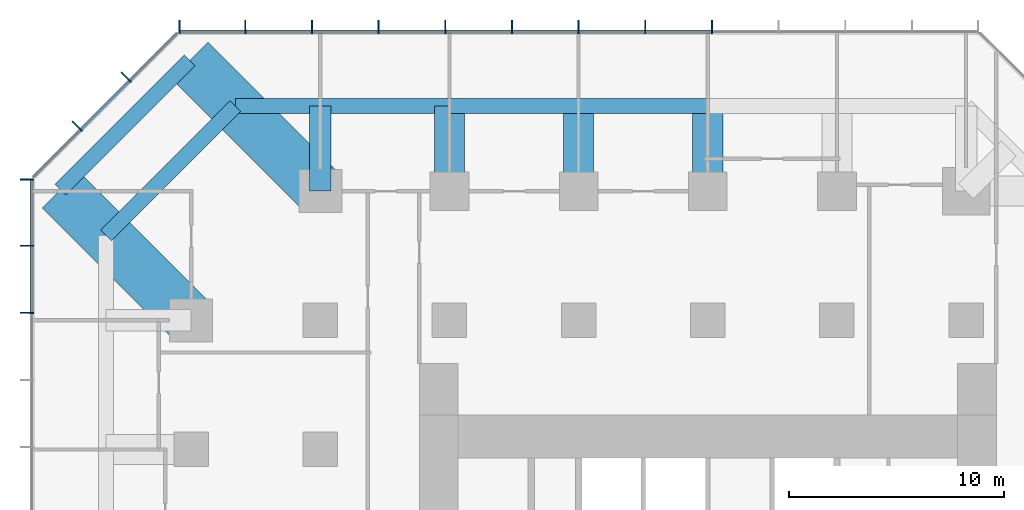
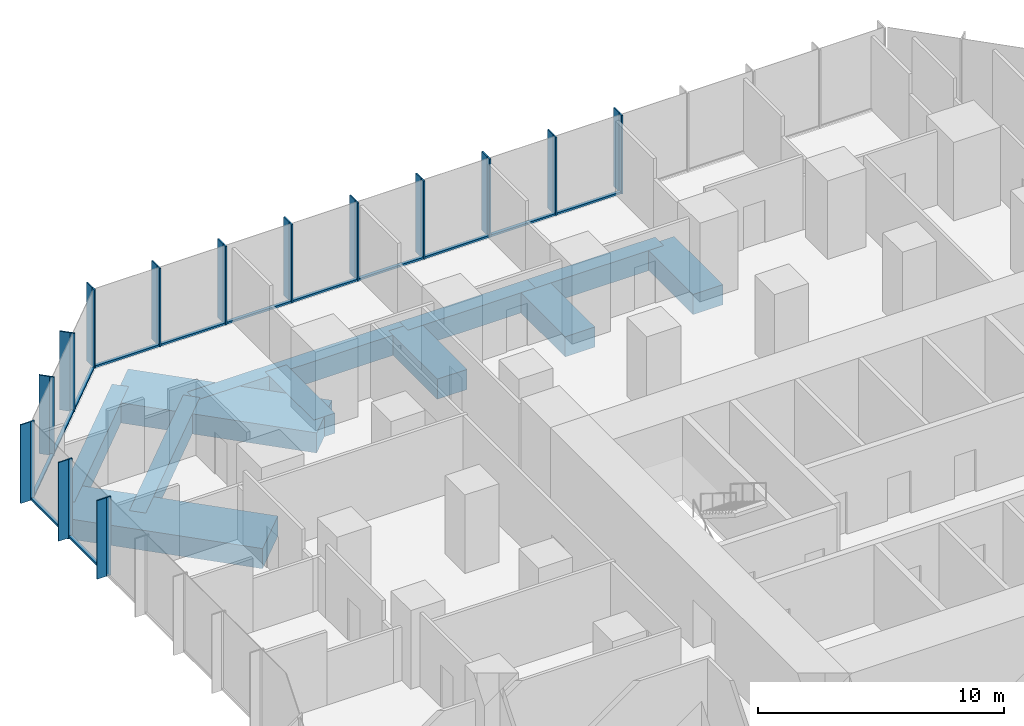
# One storey, part 5 of 11: 41 members, 11 beams, 3 elements without a shape of their own.
"""IFC4 building model written with IfcOpenShell, lengths in metres."""

from ifc_helpers import new_model, si_unit, direction, frame, origin, origin_2d, place, context, subcontext, project, spatial, rectangle, extrude, material, layer, layer_set, material_profile, profile_set, type_object, element, aggregate, save


model = new_model("IFC4")

# Units and contexts
model_context = context("Model", 3, precision=1e-05, world=origin(), true_north=direction((0.0, 1.0)))
body_context = subcontext(model_context, "Body", "Model", "MODEL_VIEW")
ifc_project = project(units=[si_unit("LENGTHUNIT", "METRE"), si_unit("AREAUNIT", "SQUARE_METRE"), si_unit("VOLUMEUNIT", "CUBIC_METRE"), si_unit("PLANEANGLEUNIT", "RADIAN"), si_unit("MASSUNIT", "GRAM", prefix="KILO")], contexts=[model_context])

# Site, building, storey
site_placement = place(None, origin())
site = spatial("IfcSite", under=ifc_project, at=site_placement, CompositionType="ELEMENT")
building_placement = place(site_placement, origin())
building = spatial("IfcBuilding", under=site, at=building_placement, Name="Highveld Stack Headquarters", CompositionType="ELEMENT")
storey_placement = place(building_placement, frame((0.0, 0.0, 97.699951171875)))
storey = spatial("IfcBuildingStorey", under=building, at=storey_placement, Name="L23", CompositionType="ELEMENT", Elevation=97.699951171875)

# Beams
ifc_material_1 = material(Name="Concrete C60/75", Category="concrete")
ifc_material_profile_1 = material_profile(ifc_material_1, rectangle(XDim=1.0, YDim=1.0, at=origin_2d()), Name="RC 1000x1000")
ifc_profile_set_1 = profile_set([ifc_material_profile_1], Name="Concrete C60/75")
beam_type_1 = type_object("IfcBeamType", Name="CANTILEVER RIB RC 1000x1000", PredefinedType="USERDEFINED", material=ifc_profile_set_1)
beam_1_placement = place(storey_placement, frame((-12.0, 24.0, -0.75), z_axis=(0.0, 1.0, 0.0), x_axis=(-1.0, 0.0, 0.0)))
element("IfcBeam", 1, at=beam_1_placement, inside=storey, type_object=beam_type_1, Name="Cantilever rib 4/J L23", ObjectType="CANTILEVER RIB", PredefinedType="USERDEFINED", context=body_context, shape_type="SweptSolid", body=[
    extrude(rectangle(XDim=1.0, YDim=1.0, at=origin_2d()), origin(), (0.0, 0.0, 1.0), 3.949951171875),
])
ifc_material_2 = material(Name="Concrete C60/75", Category="concrete")
ifc_material_profile_2 = material_profile(ifc_material_2, rectangle(XDim=1.39990234375, YDim=1.0, at=origin_2d()), Name="RC 1400x1000")
ifc_profile_set_2 = profile_set([ifc_material_profile_2], Name="Concrete C60/75")
beam_type_2 = type_object("IfcBeamType", Name="CANTILEVER RIB RC 1400x1000", PredefinedType="USERDEFINED", material=ifc_profile_set_2)
for number, where, z_axis, x_axis, name in (
    (2, (-6.0, 24.0, -0.75), (0.0, 1.0, 0.0), (-1.0, 0.0, 0.0), "Cantilever rib 5/J L23"),
    (3, (0.0, 24.0, -0.75), (0.0, 1.0, 0.0), (-1.0, 0.0, 0.0), "Cantilever rib 6/J L23"),
    (4, (6.0, 24.0, -0.75), (0.0, 1.0, 0.0), (-1.0, 0.0, 0.0), "Cantilever rib 7/J L23"),
):
    element("IfcBeam", number, at=place(storey_placement, frame(where, z_axis=z_axis, x_axis=x_axis)), inside=storey, type_object=beam_type_2, Name=name, ObjectType="CANTILEVER RIB", PredefinedType="USERDEFINED", context=body_context, shape_type="SweptSolid", body=[
        extrude(rectangle(XDim=1.39990234375, YDim=1.0, at=origin_2d()), origin(), (0.0, 0.0, 1.0), 3.949951171875),
    ])
ifc_material_3 = material(Name="Concrete C60/75", Category="concrete")
ifc_material_profile_3 = material_profile(ifc_material_3, rectangle(XDim=2.39990234375, YDim=1.0, at=origin_2d()), Name="RC 2400x1000")
ifc_profile_set_3 = profile_set([ifc_material_profile_3], Name="Concrete C60/75")
beam_type_3 = type_object("IfcBeamType", Name="CANTILEVER RIB RC 2400x1000", PredefinedType="USERDEFINED", material=ifc_profile_set_3)
for number, where, z_axis, x_axis, name in (
    (5, (-18.0, 18.0, -0.75), (-0.707106781187, 0.707106781187, 0.0), (-0.707106781187, -0.707106781187, 0.0), "Cantilever rib 3/H L23"),
    (6, (-12.0, 24.0, -0.75), (-0.707106781187, 0.707106781187, 0.0), (-0.707106781187, -0.707106781187, 0.0), "Cantilever rib 4/J L23"),
):
    element("IfcBeam", number, at=place(storey_placement, frame(where, z_axis=z_axis, x_axis=x_axis)), inside=storey, type_object=beam_type_3, Name=name, ObjectType="CANTILEVER RIB", PredefinedType="USERDEFINED", context=body_context, shape_type="SweptSolid", body=[
        extrude(rectangle(XDim=2.39990234375, YDim=1.0, at=origin_2d()), origin(), (0.0, 0.0, 1.0), 8.585693359375),
    ])

# Curtain wall, members
ifc_material_4 = material(Name="Aluminium bronze anodised", Category="aluminium")
ifc_layer_1 = layer(ifc_material_4, 0.199951171875)
ifc_layer_set_1 = layer_set([ifc_layer_1], Name="Aluminium bronze anodised")
curtain_wall_type_1 = type_object("IfcCurtainWallType", Name="CW1 TOWER UNITISED CURTAIN WALL", PredefinedType="NOTDEFINED", material=ifc_layer_set_1)
curtain_wall_1_placement = place(storey_placement, origin())
curtain_wall_1 = element("IfcCurtainWall", 7, at=curtain_wall_1_placement, inside=storey, type_object=curtain_wall_type_1, Name="Curtain wall CW1 L23 N", PredefinedType="NOTDEFINED")
ifc_material_5 = material(Name="Aluminium bronze anodised", Category="aluminium")
ifc_material_profile_4 = material_profile(ifc_material_5, rectangle(XDim=0.449951171875, YDim=0.06005859375, at=origin_2d()), Name="FIN 450x60")
ifc_profile_set_4 = profile_set([ifc_material_profile_4], Name="Aluminium bronze anodised")
member_type_1 = type_object("IfcMemberType", Name="CW1 BRONZE FIN 450x60", PredefinedType="USERDEFINED", material=ifc_profile_set_4)
member_1_placement = place(storey_placement, frame((6.193359375, 31.72509765625, 0.0), z_axis=(0.0, 0.0, 1.0), x_axis=(0.0, -1.0, 0.0)))
member_1 = element("IfcMember", 8, at=member_1_placement, type_object=member_type_1, Name="CW1 fin L23 5", ObjectType="FIN", PredefinedType="USERDEFINED", context=body_context, shape_type="SweptSolid", body=[
    extrude(rectangle(XDim=0.449951171875, YDim=0.06005859375, at=origin_2d()), origin(), (0.0, 0.0, 1.0), 3.900146484375),
])
member_2_placement = place(storey_placement, frame((3.0966796875, 31.72509765625, 0.0), z_axis=(0.0, 0.0, 1.0), x_axis=(0.0, -1.0, 0.0)))
member_2 = element("IfcMember", 9, at=member_2_placement, type_object=member_type_1, Name="CW1 fin L23 6", ObjectType="FIN", PredefinedType="USERDEFINED", context=body_context, shape_type="SweptSolid", body=[
    extrude(rectangle(XDim=0.449951171875, YDim=0.06005859375, at=origin_2d()), origin(), (0.0, 0.0, 1.0), 3.900146484375),
])
member_3_placement = place(storey_placement, frame((0.0, 31.72509765625, 0.0), z_axis=(0.0, 0.0, 1.0), x_axis=(0.0, -1.0, 0.0)))
member_3 = element("IfcMember", 10, at=member_3_placement, type_object=member_type_1, Name="CW1 fin L23 7", ObjectType="FIN", PredefinedType="USERDEFINED", context=body_context, shape_type="SweptSolid", body=[
    extrude(rectangle(XDim=0.449951171875, YDim=0.06005859375, at=origin_2d()), origin(), (0.0, 0.0, 1.0), 3.900146484375),
])
member_4_placement = place(storey_placement, frame((-3.0966796875, 31.72509765625, 0.0), z_axis=(0.0, 0.0, 1.0), x_axis=(0.0, -1.0, 0.0)))
member_4 = element("IfcMember", 11, at=member_4_placement, type_object=member_type_1, Name="CW1 fin L23 8", ObjectType="FIN", PredefinedType="USERDEFINED", context=body_context, shape_type="SweptSolid", body=[
    extrude(rectangle(XDim=0.449951171875, YDim=0.06005859375, at=origin_2d()), origin(), (0.0, 0.0, 1.0), 3.900146484375),
])
member_5_placement = place(storey_placement, frame((-6.193359375, 31.72509765625, 0.0), z_axis=(0.0, 0.0, 1.0), x_axis=(0.0, -1.0, 0.0)))
member_5 = element("IfcMember", 12, at=member_5_placement, type_object=member_type_1, Name="CW1 fin L23 9", ObjectType="FIN", PredefinedType="USERDEFINED", context=body_context, shape_type="SweptSolid", body=[
    extrude(rectangle(XDim=0.449951171875, YDim=0.06005859375, at=origin_2d()), origin(), (0.0, 0.0, 1.0), 3.900146484375),
])
member_6_placement = place(storey_placement, frame((-9.2900390625, 31.72509765625, 0.0), z_axis=(0.0, 0.0, 1.0), x_axis=(0.0, -1.0, 0.0)))
member_6 = element("IfcMember", 13, at=member_6_placement, type_object=member_type_1, Name="CW1 fin L23 10", ObjectType="FIN", PredefinedType="USERDEFINED", context=body_context, shape_type="SweptSolid", body=[
    extrude(rectangle(XDim=0.449951171875, YDim=0.06005859375, at=origin_2d()), origin(), (0.0, 0.0, 1.0), 3.900146484375),
])
member_7_placement = place(storey_placement, frame((-12.38671875, 31.72509765625, 0.0), z_axis=(0.0, 0.0, 1.0), x_axis=(0.0, -1.0, 0.0)))
member_7 = element("IfcMember", 14, at=member_7_placement, type_object=member_type_1, Name="CW1 fin L23 11", ObjectType="FIN", PredefinedType="USERDEFINED", context=body_context, shape_type="SweptSolid", body=[
    extrude(rectangle(XDim=0.449951171875, YDim=0.06005859375, at=origin_2d()), origin(), (0.0, 0.0, 1.0), 3.900146484375),
])
member_8_placement = place(storey_placement, frame((-15.4833984375, 31.72509765625, 0.0), z_axis=(0.0, 0.0, 1.0), x_axis=(0.0, -1.0, 0.0)))
member_8 = element("IfcMember", 15, at=member_8_placement, type_object=member_type_1, Name="CW1 fin L23 12", ObjectType="FIN", PredefinedType="USERDEFINED", context=body_context, shape_type="SweptSolid", body=[
    extrude(rectangle(XDim=0.449951171875, YDim=0.06005859375, at=origin_2d()), origin(), (0.0, 0.0, 1.0), 3.900146484375),
])
member_9_placement = place(storey_placement, frame((-18.54736328125, 31.72509765625, 0.0), z_axis=(0.0, 0.0, 1.0), x_axis=(0.0, -1.0, 0.0)))
member_9 = element("IfcMember", 16, at=member_9_placement, type_object=member_type_1, Name="CW1 fin L23 13", ObjectType="FIN", PredefinedType="USERDEFINED", context=body_context, shape_type="SweptSolid", body=[
    extrude(rectangle(XDim=0.449951171875, YDim=0.06005859375, at=origin_2d()), origin(), (0.0, 0.0, 1.0), 3.900146484375),
])

curtain_wall_2_placement = place(storey_placement, origin())
curtain_wall_2 = element("IfcCurtainWall", 17, at=curtain_wall_2_placement, inside=storey, type_object=curtain_wall_type_1, Name="Curtain wall CW1 L23 W", PredefinedType="NOTDEFINED")
member_10_placement = place(storey_placement, frame((-25.72509765625, 24.54736328125, 0.0), z_axis=(0.0, 0.0, 1.0), x_axis=(1.0, 0.0, 0.0)))
member_10 = element("IfcMember", 18, at=member_10_placement, type_object=member_type_1, Name="CW1 fin L23 1", ObjectType="FIN", PredefinedType="USERDEFINED", context=body_context, shape_type="SweptSolid", body=[
    extrude(rectangle(XDim=0.449951171875, YDim=0.06005859375, at=origin_2d()), origin(), (0.0, 0.0, 1.0), 3.900146484375),
])
member_11_placement = place(storey_placement, frame((-25.72509765625, 21.4638671875, 0.0), z_axis=(0.0, 0.0, 1.0), x_axis=(1.0, 0.0, 0.0)))
member_11 = element("IfcMember", 19, at=member_11_placement, type_object=member_type_1, Name="CW1 fin L23 2", ObjectType="FIN", PredefinedType="USERDEFINED", context=body_context, shape_type="SweptSolid", body=[
    extrude(rectangle(XDim=0.449951171875, YDim=0.06005859375, at=origin_2d()), origin(), (0.0, 0.0, 1.0), 3.900146484375),
])
member_12_placement = place(storey_placement, frame((-25.72509765625, 18.347900390625, 0.0), z_axis=(0.0, 0.0, 1.0), x_axis=(1.0, 0.0, 0.0)))
member_12 = element("IfcMember", 20, at=member_12_placement, type_object=member_type_1, Name="CW1 fin L23 3", ObjectType="FIN", PredefinedType="USERDEFINED", context=body_context, shape_type="SweptSolid", body=[
    extrude(rectangle(XDim=0.449951171875, YDim=0.06005859375, at=origin_2d()), origin(), (0.0, 0.0, 1.0), 3.900146484375),
])

# Member
ifc_material_6 = material(Name="Aluminium bronze anodised", Category="aluminium")
ifc_material_profile_5 = material_profile(ifc_material_6, rectangle(XDim=0.199951171875, YDim=0.06494140625, at=origin_2d()), Name="CW1 MULLION 65x200")
ifc_profile_set_5 = profile_set([ifc_material_profile_5], Name="Aluminium bronze anodised")
member_type_2 = type_object("IfcMemberType", Name="CW1 MULLION 65x200", PredefinedType="MULLION", material=ifc_profile_set_5)
member_13_placement = place(storey_placement, frame((6.193359375, 31.39990234375, 0.0), z_axis=(0.0, 0.0, 1.0), x_axis=(0.0, -1.0, 0.0)))
member_13 = element("IfcMember", 21, at=member_13_placement, type_object=member_type_2, Name="CW1 mullion L23 5", PredefinedType="MULLION", context=body_context, shape_type="SweptSolid", body=[
    extrude(rectangle(XDim=0.199951171875, YDim=0.06494140625, at=origin_2d()), origin(), (0.0, 0.0, 1.0), 3.900146484375),
])

member_14_placement = place(storey_placement, frame((3.0966796875, 31.39990234375, 0.0), z_axis=(0.0, 0.0, 1.0), x_axis=(0.0, -1.0, 0.0)))
member_14 = element("IfcMember", 22, at=member_14_placement, type_object=member_type_2, Name="CW1 mullion L23 6", PredefinedType="MULLION", context=body_context, shape_type="SweptSolid", body=[
    extrude(rectangle(XDim=0.199951171875, YDim=0.06494140625, at=origin_2d()), origin(), (0.0, 0.0, 1.0), 3.900146484375),
])

member_15_placement = place(storey_placement, frame((0.0, 31.39990234375, 0.0), z_axis=(0.0, 0.0, 1.0), x_axis=(0.0, -1.0, 0.0)))
member_15 = element("IfcMember", 23, at=member_15_placement, type_object=member_type_2, Name="CW1 mullion L23 7", PredefinedType="MULLION", context=body_context, shape_type="SweptSolid", body=[
    extrude(rectangle(XDim=0.199951171875, YDim=0.06494140625, at=origin_2d()), origin(), (0.0, 0.0, 1.0), 3.900146484375),
])

member_16_placement = place(storey_placement, frame((-3.0966796875, 31.39990234375, 0.0), z_axis=(0.0, 0.0, 1.0), x_axis=(0.0, -1.0, 0.0)))
member_16 = element("IfcMember", 24, at=member_16_placement, type_object=member_type_2, Name="CW1 mullion L23 8", PredefinedType="MULLION", context=body_context, shape_type="SweptSolid", body=[
    extrude(rectangle(XDim=0.199951171875, YDim=0.06494140625, at=origin_2d()), origin(), (0.0, 0.0, 1.0), 3.900146484375),
])

member_17_placement = place(storey_placement, frame((-6.193359375, 31.39990234375, 0.0), z_axis=(0.0, 0.0, 1.0), x_axis=(0.0, -1.0, 0.0)))
member_17 = element("IfcMember", 25, at=member_17_placement, type_object=member_type_2, Name="CW1 mullion L23 9", PredefinedType="MULLION", context=body_context, shape_type="SweptSolid", body=[
    extrude(rectangle(XDim=0.199951171875, YDim=0.06494140625, at=origin_2d()), origin(), (0.0, 0.0, 1.0), 3.900146484375),
])

member_18_placement = place(storey_placement, frame((-9.2900390625, 31.39990234375, 0.0), z_axis=(0.0, 0.0, 1.0), x_axis=(0.0, -1.0, 0.0)))
member_18 = element("IfcMember", 26, at=member_18_placement, type_object=member_type_2, Name="CW1 mullion L23 10", PredefinedType="MULLION", context=body_context, shape_type="SweptSolid", body=[
    extrude(rectangle(XDim=0.199951171875, YDim=0.06494140625, at=origin_2d()), origin(), (0.0, 0.0, 1.0), 3.900146484375),
])

member_19_placement = place(storey_placement, frame((-12.38671875, 31.39990234375, 0.0), z_axis=(0.0, 0.0, 1.0), x_axis=(0.0, -1.0, 0.0)))
member_19 = element("IfcMember", 27, at=member_19_placement, type_object=member_type_2, Name="CW1 mullion L23 11", PredefinedType="MULLION", context=body_context, shape_type="SweptSolid", body=[
    extrude(rectangle(XDim=0.199951171875, YDim=0.06494140625, at=origin_2d()), origin(), (0.0, 0.0, 1.0), 3.900146484375),
])

member_20_placement = place(storey_placement, frame((-15.4833984375, 31.39990234375, 0.0), z_axis=(0.0, 0.0, 1.0), x_axis=(0.0, -1.0, 0.0)))
member_20 = element("IfcMember", 28, at=member_20_placement, type_object=member_type_2, Name="CW1 mullion L23 12", PredefinedType="MULLION", context=body_context, shape_type="SweptSolid", body=[
    extrude(rectangle(XDim=0.199951171875, YDim=0.06494140625, at=origin_2d()), origin(), (0.0, 0.0, 1.0), 3.900146484375),
])

member_21_placement = place(storey_placement, frame((-18.54736328125, 31.39990234375, 0.0), z_axis=(0.0, 0.0, 1.0), x_axis=(0.0, -1.0, 0.0)))
member_21 = element("IfcMember", 29, at=member_21_placement, type_object=member_type_2, Name="CW1 mullion L23 13", PredefinedType="MULLION", context=body_context, shape_type="SweptSolid", body=[
    extrude(rectangle(XDim=0.199951171875, YDim=0.06494140625, at=origin_2d()), origin(), (0.0, 0.0, 1.0), 3.900146484375),
])

member_22_placement = place(storey_placement, frame((-25.39990234375, 24.54736328125, 0.0), z_axis=(0.0, 0.0, 1.0), x_axis=(1.0, 0.0, 0.0)))
member_22 = element("IfcMember", 30, at=member_22_placement, type_object=member_type_2, Name="CW1 mullion L23 1", PredefinedType="MULLION", context=body_context, shape_type="SweptSolid", body=[
    extrude(rectangle(XDim=0.199951171875, YDim=0.06494140625, at=origin_2d()), origin(), (0.0, 0.0, 1.0), 3.900146484375),
])

member_23_placement = place(storey_placement, frame((-25.39990234375, 21.4638671875, 0.0), z_axis=(0.0, 0.0, 1.0), x_axis=(1.0, 0.0, 0.0)))
member_23 = element("IfcMember", 31, at=member_23_placement, type_object=member_type_2, Name="CW1 mullion L23 2", PredefinedType="MULLION", context=body_context, shape_type="SweptSolid", body=[
    extrude(rectangle(XDim=0.199951171875, YDim=0.06494140625, at=origin_2d()), origin(), (0.0, 0.0, 1.0), 3.900146484375),
])

member_24_placement = place(storey_placement, frame((-25.39990234375, 18.347900390625, 0.0), z_axis=(0.0, 0.0, 1.0), x_axis=(1.0, 0.0, 0.0)))
member_24 = element("IfcMember", 32, at=member_24_placement, type_object=member_type_2, Name="CW1 mullion L23 3", PredefinedType="MULLION", context=body_context, shape_type="SweptSolid", body=[
    extrude(rectangle(XDim=0.199951171875, YDim=0.06494140625, at=origin_2d()), origin(), (0.0, 0.0, 1.0), 3.900146484375),
])

ifc_material_7 = material(Name="Aluminium bronze anodised", Category="aluminium")
ifc_material_profile_6 = material_profile(ifc_material_7, rectangle(XDim=0.14990234375, YDim=0.10009765625, at=origin_2d()), Name="CW1 TRANSOM 150x100")
ifc_profile_set_6 = profile_set([ifc_material_profile_6], Name="Aluminium bronze anodised")
member_type_3 = type_object("IfcMemberType", Name="CW1 STACK TRANSOM 150x100", PredefinedType="USERDEFINED", material=ifc_profile_set_6)
member_25_placement = place(storey_placement, frame((6.160888671875, 31.39990234375, 0.050048828125), z_axis=(-1.0, 0.0, 0.0), x_axis=(0.0, -1.0, 0.0)))
member_25 = element("IfcMember", 33, at=member_25_placement, type_object=member_type_3, Name="CW1 transom L23 5.1", ObjectType="TRANSOM", PredefinedType="USERDEFINED", context=body_context, shape_type="SweptSolid", body=[
    extrude(rectangle(XDim=0.14990234375, YDim=0.10009765625, at=origin_2d()), origin(), (0.0, 0.0, 1.0), 3.03173828125),
])

member_26_placement = place(storey_placement, frame((3.064208984375, 31.39990234375, 0.050048828125), z_axis=(-1.0, 0.0, 0.0), x_axis=(0.0, -1.0, 0.0)))
member_26 = element("IfcMember", 34, at=member_26_placement, type_object=member_type_3, Name="CW1 transom L23 6.1", ObjectType="TRANSOM", PredefinedType="USERDEFINED", context=body_context, shape_type="SweptSolid", body=[
    extrude(rectangle(XDim=0.14990234375, YDim=0.10009765625, at=origin_2d()), origin(), (0.0, 0.0, 1.0), 3.03173828125),
])

member_27_placement = place(storey_placement, frame((-0.032470703125, 31.39990234375, 0.050048828125), z_axis=(-1.0, 0.0, 0.0), x_axis=(0.0, -1.0, 0.0)))
member_27 = element("IfcMember", 35, at=member_27_placement, type_object=member_type_3, Name="CW1 transom L23 7.1", ObjectType="TRANSOM", PredefinedType="USERDEFINED", context=body_context, shape_type="SweptSolid", body=[
    extrude(rectangle(XDim=0.14990234375, YDim=0.10009765625, at=origin_2d()), origin(), (0.0, 0.0, 1.0), 3.03173828125),
])

member_28_placement = place(storey_placement, frame((-3.129150390625, 31.39990234375, 0.050048828125), z_axis=(-1.0, 0.0, 0.0), x_axis=(0.0, -1.0, 0.0)))
member_28 = element("IfcMember", 36, at=member_28_placement, type_object=member_type_3, Name="CW1 transom L23 8.1", ObjectType="TRANSOM", PredefinedType="USERDEFINED", context=body_context, shape_type="SweptSolid", body=[
    extrude(rectangle(XDim=0.14990234375, YDim=0.10009765625, at=origin_2d()), origin(), (0.0, 0.0, 1.0), 3.03173828125),
])

member_29_placement = place(storey_placement, frame((-6.225830078125, 31.39990234375, 0.050048828125), z_axis=(-1.0, 0.0, 0.0), x_axis=(0.0, -1.0, 0.0)))
member_29 = element("IfcMember", 37, at=member_29_placement, type_object=member_type_3, Name="CW1 transom L23 9.1", ObjectType="TRANSOM", PredefinedType="USERDEFINED", context=body_context, shape_type="SweptSolid", body=[
    extrude(rectangle(XDim=0.14990234375, YDim=0.10009765625, at=origin_2d()), origin(), (0.0, 0.0, 1.0), 3.03173828125),
])

member_30_placement = place(storey_placement, frame((-9.322509765625, 31.39990234375, 0.050048828125), z_axis=(-1.0, 0.0, 0.0), x_axis=(0.0, -1.0, 0.0)))
member_30 = element("IfcMember", 38, at=member_30_placement, type_object=member_type_3, Name="CW1 transom L23 10.1", ObjectType="TRANSOM", PredefinedType="USERDEFINED", context=body_context, shape_type="SweptSolid", body=[
    extrude(rectangle(XDim=0.14990234375, YDim=0.10009765625, at=origin_2d()), origin(), (0.0, 0.0, 1.0), 3.031494140625),
])

member_31_placement = place(storey_placement, frame((-12.419189453125, 31.39990234375, 0.050048828125), z_axis=(-1.0, 0.0, 0.0), x_axis=(0.0, -1.0, 0.0)))
member_31 = element("IfcMember", 39, at=member_31_placement, type_object=member_type_3, Name="CW1 transom L23 11.1", ObjectType="TRANSOM", PredefinedType="USERDEFINED", context=body_context, shape_type="SweptSolid", body=[
    extrude(rectangle(XDim=0.14990234375, YDim=0.10009765625, at=origin_2d()), origin(), (0.0, 0.0, 1.0), 3.031494140625),
])

member_32_placement = place(storey_placement, frame((-15.515869140625, 31.39990234375, 0.050048828125), z_axis=(-1.0, 0.0, 0.0), x_axis=(0.0, -1.0, 0.0)))
member_32 = element("IfcMember", 40, at=member_32_placement, type_object=member_type_3, Name="CW1 transom L23 12.1", ObjectType="TRANSOM", PredefinedType="USERDEFINED", context=body_context, shape_type="SweptSolid", body=[
    extrude(rectangle(XDim=0.14990234375, YDim=0.10009765625, at=origin_2d()), origin(), (0.0, 0.0, 1.0), 2.9990234375),
])

aggregate(curtain_wall_1, [member_13, member_1, member_14, member_2, member_15, member_3, member_16, member_4, member_17, member_5, member_18, member_6, member_19, member_7, member_20, member_8, member_21, member_9, member_25, member_26, member_27, member_28, member_29, member_30, member_31, member_32])

member_33_placement = place(storey_placement, frame((-25.39990234375, 24.514892578125, 0.050048828125), z_axis=(0.0, -1.0, 0.0), x_axis=(1.0, 0.0, 0.0)))
member_33 = element("IfcMember", 41, at=member_33_placement, type_object=member_type_3, Name="CW1 transom L23 1.1", ObjectType="TRANSOM", PredefinedType="USERDEFINED", context=body_context, shape_type="SweptSolid", body=[
    extrude(rectangle(XDim=0.14990234375, YDim=0.10009765625, at=origin_2d()), origin(), (0.0, 0.0, 1.0), 3.0185546875),
])

member_34_placement = place(storey_placement, frame((-25.39990234375, 21.431396484375, 0.050048828125), z_axis=(0.0, -1.0, 0.0), x_axis=(1.0, 0.0, 0.0)))
member_34 = element("IfcMember", 42, at=member_34_placement, type_object=member_type_3, Name="CW1 transom L23 2.1", ObjectType="TRANSOM", PredefinedType="USERDEFINED", context=body_context, shape_type="SweptSolid", body=[
    extrude(rectangle(XDim=0.14990234375, YDim=0.10009765625, at=origin_2d()), origin(), (0.0, 0.0, 1.0), 3.051025390625),
])

aggregate(curtain_wall_2, [member_22, member_10, member_23, member_11, member_24, member_12, member_33, member_34])

# Curtain wall, members
ifc_material_8 = material(Name="Aluminium bronze anodised", Category="aluminium")
ifc_layer_2 = layer(ifc_material_8, 0.199951171875)
ifc_layer_set_2 = layer_set([ifc_layer_2], Name="Aluminium bronze anodised")
curtain_wall_type_2 = type_object("IfcCurtainWallType", Name="CW2 TOWER CHAMFER UNITISED CURTAIN WALL", PredefinedType="NOTDEFINED", material=ifc_layer_set_2)
curtain_wall_3_placement = place(storey_placement, origin())
curtain_wall_3 = element("IfcCurtainWall", 43, at=curtain_wall_3_placement, inside=storey, type_object=curtain_wall_type_2, Name="Curtain wall CW2 L23 NW", PredefinedType="NOTDEFINED")
ifc_material_9 = material(Name="Aluminium bronze anodised", Category="aluminium")
ifc_material_profile_7 = material_profile(ifc_material_9, rectangle(XDim=0.449951171875, YDim=0.06005859375, at=origin_2d()), Name="FIN 450x60")
ifc_profile_set_7 = profile_set([ifc_material_profile_7], Name="Aluminium bronze anodised")
member_type_4 = type_object("IfcMemberType", Name="CW2 BRONZE FIN 450x60", PredefinedType="USERDEFINED", material=ifc_profile_set_7)
member_35_placement = place(storey_placement, frame((-21.0830078125, 29.3564453125, 0.0), z_axis=(0.0, 0.0, 1.0), x_axis=(0.707106781187, -0.707106781187, 0.0)))
member_35 = element("IfcMember", 44, at=member_35_placement, type_object=member_type_4, Name="CW2 fin L23 1", ObjectType="FIN", PredefinedType="USERDEFINED", context=body_context, shape_type="SweptSolid", body=[
    extrude(rectangle(XDim=0.449951171875, YDim=0.06005859375, at=origin_2d()), origin(), (0.0, 0.0, 1.0), 3.900146484375),
])
member_36_placement = place(storey_placement, frame((-23.3564453125, 27.0830078125, 0.0), z_axis=(0.0, 0.0, 1.0), x_axis=(0.707106781187, -0.707106781187, 0.0)))
member_36 = element("IfcMember", 45, at=member_36_placement, type_object=member_type_4, Name="CW2 fin L23 2", ObjectType="FIN", PredefinedType="USERDEFINED", context=body_context, shape_type="SweptSolid", body=[
    extrude(rectangle(XDim=0.449951171875, YDim=0.06005859375, at=origin_2d()), origin(), (0.0, 0.0, 1.0), 3.900146484375),
])
ifc_material_10 = material(Name="Aluminium bronze anodised", Category="aluminium")
ifc_material_profile_8 = material_profile(ifc_material_10, rectangle(XDim=0.199951171875, YDim=0.06494140625, at=origin_2d()), Name="CW2 MULLION 65x200")
ifc_profile_set_8 = profile_set([ifc_material_profile_8], Name="Aluminium bronze anodised")
member_type_5 = type_object("IfcMemberType", Name="CW2 MULLION 65x200", PredefinedType="MULLION", material=ifc_profile_set_8)
member_37_placement = place(storey_placement, frame((-20.853271484375, 29.126708984375, 0.0), z_axis=(0.0, 0.0, 1.0), x_axis=(0.707106781187, -0.707106781187, 0.0)))
member_37 = element("IfcMember", 46, at=member_37_placement, type_object=member_type_5, Name="CW2 mullion L23 1", PredefinedType="MULLION", context=body_context, shape_type="SweptSolid", body=[
    extrude(rectangle(XDim=0.199951171875, YDim=0.06494140625, at=origin_2d()), origin(), (0.0, 0.0, 1.0), 3.900146484375),
])
member_38_placement = place(storey_placement, frame((-23.126708984375, 26.853271484375, 0.0), z_axis=(0.0, 0.0, 1.0), x_axis=(0.707106781187, -0.707106781187, 0.0)))
member_38 = element("IfcMember", 47, at=member_38_placement, type_object=member_type_5, Name="CW2 mullion L23 2", PredefinedType="MULLION", context=body_context, shape_type="SweptSolid", body=[
    extrude(rectangle(XDim=0.199951171875, YDim=0.06494140625, at=origin_2d()), origin(), (0.0, 0.0, 1.0), 3.900146484375),
])
ifc_material_11 = material(Name="Aluminium bronze anodised", Category="aluminium")
ifc_material_profile_9 = material_profile(ifc_material_11, rectangle(XDim=0.14990234375, YDim=0.10009765625, at=origin_2d()), Name="CW2 TRANSOM 150x100")
ifc_profile_set_9 = profile_set([ifc_material_profile_9], Name="Aluminium bronze anodised")
member_type_6 = type_object("IfcMemberType", Name="CW2 STACK TRANSOM 150x100", PredefinedType="USERDEFINED", material=ifc_profile_set_9)
member_39_placement = place(storey_placement, frame((-18.650634765625, 31.329345703125, 0.050048828125), z_axis=(-0.707106781187, -0.707106781187, 0.0), x_axis=(0.707106781187, -0.707106781187, 0.0)))
member_39 = element("IfcMember", 48, at=member_39_placement, type_object=member_type_6, Name="CW2 transom L23 1.1", ObjectType="TRANSOM", PredefinedType="USERDEFINED", context=body_context, shape_type="SweptSolid", body=[
    extrude(rectangle(XDim=0.14990234375, YDim=0.10009765625, at=origin_2d()), origin(), (0.0, 0.0, 1.0), 3.08251953125),
])
member_40_placement = place(storey_placement, frame((-20.876220703125, 29.103759765625, 0.050048828125), z_axis=(-0.707106781187, -0.707106781187, 0.0), x_axis=(0.707106781187, -0.707106781187, 0.0)))
member_40 = element("IfcMember", 49, at=member_40_placement, type_object=member_type_6, Name="CW2 transom L23 2.1", ObjectType="TRANSOM", PredefinedType="USERDEFINED", context=body_context, shape_type="SweptSolid", body=[
    extrude(rectangle(XDim=0.14990234375, YDim=0.10009765625, at=origin_2d()), origin(), (0.0, 0.0, 1.0), 3.150146484375),
])
member_41_placement = place(storey_placement, frame((-23.149658203125, 26.830322265625, 0.050048828125), z_axis=(-0.707106781187, -0.707106781187, 0.0), x_axis=(0.707106781187, -0.707106781187, 0.0)))
member_41 = element("IfcMember", 50, at=member_41_placement, type_object=member_type_6, Name="CW2 transom L23 3.1", ObjectType="TRANSOM", PredefinedType="USERDEFINED", context=body_context, shape_type="SweptSolid", body=[
    extrude(rectangle(XDim=0.14990234375, YDim=0.10009765625, at=origin_2d()), origin(), (0.0, 0.0, 1.0), 3.08251953125),
])
aggregate(curtain_wall_3, [member_37, member_35, member_38, member_36, member_39, member_40, member_41])

# Beams
ifc_material_12 = material(Name="Concrete C60/75", Category="concrete")
ifc_material_profile_10 = material_profile(ifc_material_12, rectangle(XDim=0.699951171875, YDim=1.0, at=origin_2d()), Name="RC 700x1000")
ifc_profile_set_10 = profile_set([ifc_material_profile_10], Name="Concrete C60/75")
beam_type_4 = type_object("IfcBeamType", Name="RIB TIP BEAM RC 700x1000", PredefinedType="SPANDREL", material=ifc_profile_set_10)
beam_2_placement = place(storey_placement, frame((-15.949951171875, 27.949951171875, -0.75), z_axis=(1.0, 0.0, 0.0), x_axis=(0.0, 1.0, 0.0)))
element("IfcBeam", 51, at=beam_2_placement, inside=storey, type_object=beam_type_4, Name="Rib tip beam 4/J to 5/J L23", PredefinedType="SPANDREL", context=body_context, shape_type="SweptSolid", body=[
    extrude(rectangle(XDim=0.699951171875, YDim=1.0, at=origin_2d()), origin(), (0.0, 0.0, 1.0), 9.949951171875),
])
for number, where, z_axis, x_axis, name in (
    (52, (-6.0, 27.949951171875, -0.75), (1.0, 0.0, 0.0), (0.0, 1.0, 0.0), "Rib tip beam 5/J to 6/J L23"),
    (53, (0.0, 27.949951171875, -0.75), (1.0, 0.0, 0.0), (0.0, 1.0, 0.0), "Rib tip beam 6/J to 7/J L23"),
):
    element("IfcBeam", number, at=place(storey_placement, frame(where, z_axis=z_axis, x_axis=x_axis)), inside=storey, type_object=beam_type_4, Name=name, PredefinedType="SPANDREL", context=body_context, shape_type="SweptSolid", body=[
        extrude(rectangle(XDim=0.699951171875, YDim=1.0, at=origin_2d()), origin(), (0.0, 0.0, 1.0), 6.0),
    ])
for number, where, z_axis, x_axis, name in (
    (54, (-21.949951171875, 21.949951171875, -0.75), (0.707106781187, 0.707106781187, 0.0), (-0.707106781187, 0.707106781187, 0.0), "Rib tip beam 3/H to 4/J chamfer L23"),
    (55, (-24.071044921875, 24.071044921875, -0.75), (0.707106781187, 0.707106781187, 0.0), (-0.707106781187, 0.707106781187, 0.0), "Rib tip beam 3/H to 4/J chamfer edge L23"),
):
    element("IfcBeam", number, at=place(storey_placement, frame(where, z_axis=z_axis, x_axis=x_axis)), inside=storey, type_object=beam_type_4, Name=name, PredefinedType="SPANDREL", context=body_context, shape_type="SweptSolid", body=[
        extrude(rectangle(XDim=0.699951171875, YDim=1.0, at=origin_2d()), origin(), (0.0, 0.0, 1.0), 8.4853515625),
    ])

save(model, "model.ifc")
